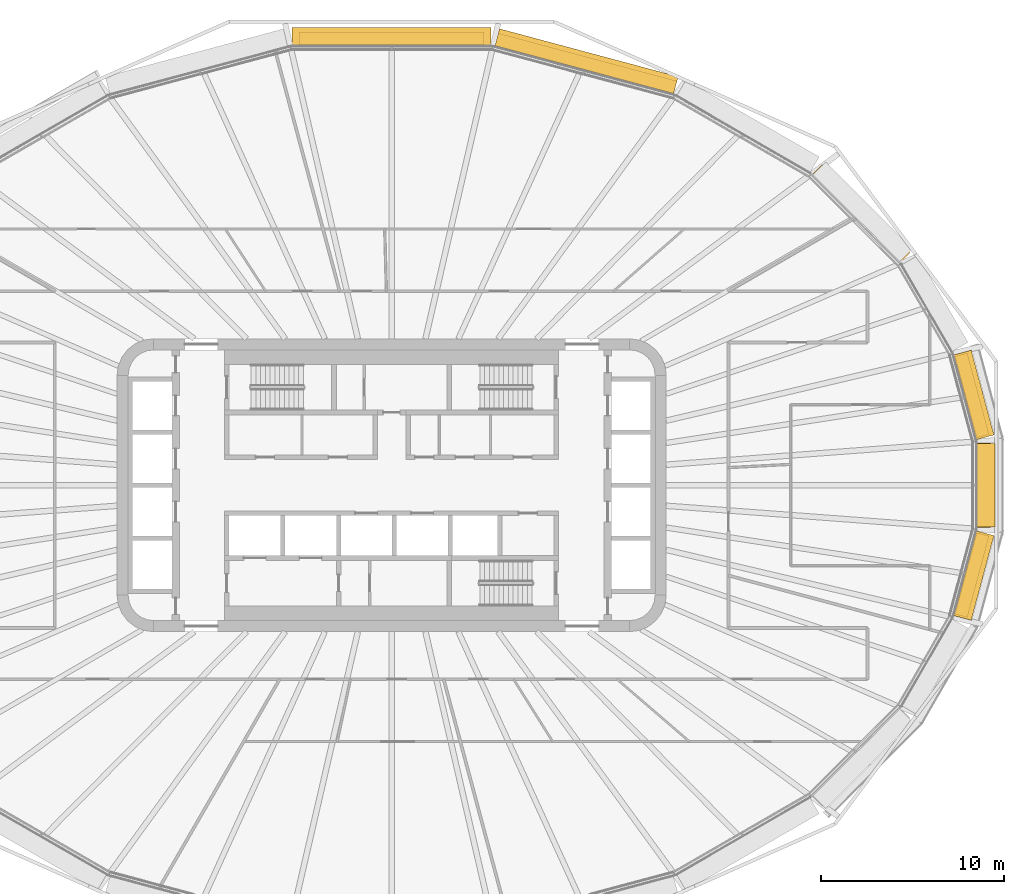
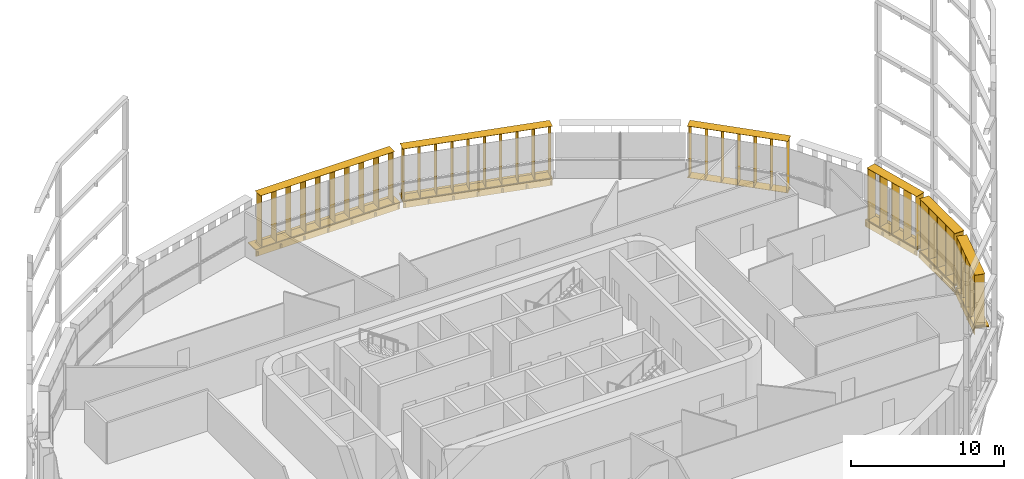
# One storey, part 26 of 26: 11 shading devices.
"""IFC4 building model written with IfcOpenShell, lengths in metres."""

from ifc_helpers import new_model, si_unit, direction, frame, origin, origin_2d, place, context, subcontext, project, spatial, rectangle, extrude, material, type_object, element, save


model = new_model("IFC4")

# Units and contexts
model_context = context("Model", 3, precision=1e-05, world=origin(), true_north=direction((0.0, 1.0)))
body_context = subcontext(model_context, "Body", "Model", "MODEL_VIEW")
ifc_project = project(units=[si_unit("LENGTHUNIT", "METRE"), si_unit("AREAUNIT", "SQUARE_METRE"), si_unit("VOLUMEUNIT", "CUBIC_METRE"), si_unit("PLANEANGLEUNIT", "RADIAN"), si_unit("MASSUNIT", "GRAM", prefix="KILO")], contexts=[model_context])

# Site, building, storey
site_placement = place(None, origin())
site = spatial("IfcSite", under=ifc_project, at=site_placement, CompositionType="ELEMENT")
building_placement = place(site_placement, origin())
building = spatial("IfcBuilding", under=site, at=building_placement, Name="Sahrelin Media Tower", CompositionType="ELEMENT")
storey_placement = place(building_placement, frame((0.0, 0.0, 102.0)))
storey = spatial("IfcBuildingStorey", under=building, at=storey_placement, Name="L19", CompositionType="ELEMENT", Elevation=102.0)

# Shading devices
ifc_material = material(Name="Champagne anodised aluminium 6063-T6", Category="aluminium")
shading_device_type_1 = type_object("IfcShadingDeviceType", Name="Fin cassette", PredefinedType="USERDEFINED", material=ifc_material)
placement_1 = place(storey_placement, frame((31.9443359375, 0.0, 0.0), z_axis=(0.0, 0.0, 1.0), x_axis=(0.0, -1.0, 0.0)))
element("IfcShadingDevice", 1, at=placement_1, inside=storey, type_object=shading_device_type_1, Name="L19:FIN:L19-00", ObjectType="FIN", PredefinedType="USERDEFINED", context=body_context, shape_type="SweptSolid", body=[
    extrude(rectangle(XDim=4.60009765625, YDim=0.699951171875, at=origin_2d()), frame((0.0, 0.419921875, 0.0)), (0.0, 0.0, 1.0), 0.02001953125),
    extrude(rectangle(XDim=4.60009765625, YDim=0.699951171875, at=origin_2d()), frame((0.0, 0.419921875, 4.10009765625)), (0.0, 0.0, 1.0), 0.02001953125),
    extrude(rectangle(XDim=0.02001953125, YDim=0.699951171875, at=origin_2d()), frame((-2.199951171875, 0.419921875, 0.010009765625), z_axis=(0.0, 0.0, 1.0), x_axis=(1.0, 0.0, 0.0)), (0.0, 0.0, 1.0), 4.10009765625),
    extrude(rectangle(XDim=0.02001953125, YDim=0.699951171875, at=origin_2d()), frame((-1.10009765625, 0.419921875, 0.010009765625), z_axis=(0.0, 0.0, 1.0), x_axis=(1.0, 0.0, 0.0)), (0.0, 0.0, 1.0), 4.10009765625),
    extrude(rectangle(XDim=0.02001953125, YDim=0.699951171875, at=origin_2d()), frame((0.0, 0.419921875, 0.010009765625), z_axis=(0.0, 0.0, 1.0), x_axis=(1.0, 0.0, 0.0)), (0.0, 0.0, 1.0), 4.10009765625),
    extrude(rectangle(XDim=0.02001953125, YDim=0.699951171875, at=origin_2d()), frame((1.10009765625, 0.419921875, 0.010009765625), z_axis=(0.0, 0.0, 1.0), x_axis=(1.0, 0.0, 0.0)), (0.0, 0.0, 1.0), 4.10009765625),
    extrude(rectangle(XDim=0.02001953125, YDim=0.699951171875, at=origin_2d()), frame((2.199951171875, 0.419921875, 0.010009765625), z_axis=(0.0, 0.0, 1.0), x_axis=(1.0, 0.0, 0.0)), (0.0, 0.0, 1.0), 4.10009765625),
])
placement_2 = place(storey_placement, frame((31.298095703125, 4.798828125, 0.0), z_axis=(0.0, 0.0, 1.0), x_axis=(0.258807731996, -0.965928857556, 0.0)))
element("IfcShadingDevice", 2, at=placement_2, inside=storey, type_object=shading_device_type_1, Name="L19:FIN:L19-01", ObjectType="FIN", PredefinedType="USERDEFINED", context=body_context, shape_type="SweptSolid", body=[
    extrude(rectangle(XDim=4.60009765625, YDim=0.699951171875, at=origin_2d()), frame((0.0, 0.419921875, 0.0)), (0.0, 0.0, 1.0), 0.02001953125),
    extrude(rectangle(XDim=4.60009765625, YDim=0.699951171875, at=origin_2d()), frame((0.0, 0.419921875, 4.10009765625)), (0.0, 0.0, 1.0), 0.02001953125),
    extrude(rectangle(XDim=0.02001953125, YDim=0.699951171875, at=origin_2d()), frame((-2.199951171875, 0.419921875, 0.010009765625), z_axis=(0.0, 0.0, 1.0), x_axis=(1.0, 0.0, 0.0)), (0.0, 0.0, 1.0), 4.10009765625),
    extrude(rectangle(XDim=0.02001953125, YDim=0.699951171875, at=origin_2d()), frame((-1.10009765625, 0.419921875, 0.010009765625), z_axis=(0.0, 0.0, 1.0), x_axis=(1.0, 0.0, 0.0)), (0.0, 0.0, 1.0), 4.10009765625),
    extrude(rectangle(XDim=0.02001953125, YDim=0.699951171875, at=origin_2d()), frame((0.0, 0.419921875, 0.010009765625), z_axis=(0.0, 0.0, 1.0), x_axis=(1.0, 0.0, 0.0)), (0.0, 0.0, 1.0), 4.10009765625),
    extrude(rectangle(XDim=0.02001953125, YDim=0.699951171875, at=origin_2d()), frame((1.10009765625, 0.419921875, 0.010009765625), z_axis=(0.0, 0.0, 1.0), x_axis=(1.0, 0.0, 0.0)), (0.0, 0.0, 1.0), 4.10009765625),
    extrude(rectangle(XDim=0.02001953125, YDim=0.699951171875, at=origin_2d()), frame((2.199951171875, 0.419921875, 0.010009765625), z_axis=(0.0, 0.0, 1.0), x_axis=(1.0, 0.0, 0.0)), (0.0, 0.0, 1.0), 4.10009765625),
])
shading_device_3_placement = place(storey_placement, frame((25.371337890625, 14.5703125, 0.0), z_axis=(0.0, 0.0, 1.0), x_axis=(0.707106781187, -0.707106781187, 0.0)))
element("IfcShadingDevice", 3, at=shading_device_3_placement, inside=storey, type_object=shading_device_type_1, Name="L19:FIN:L19-03", ObjectType="FIN", PredefinedType="USERDEFINED", context=body_context, shape_type="SweptSolid", body=[
    extrude(rectangle(XDim=6.800048828125, YDim=0.699951171875, at=origin_2d()), frame((0.0, 0.419921875, 0.0)), (0.0, 0.0, 1.0), 0.02001953125),
    extrude(rectangle(XDim=6.800048828125, YDim=0.699951171875, at=origin_2d()), frame((0.0, 0.419921875, 4.10009765625)), (0.0, 0.0, 1.0), 0.02001953125),
    extrude(rectangle(XDim=0.02001953125, YDim=0.699951171875, at=origin_2d()), frame((-3.300048828125, 0.419921875, 0.010009765625), z_axis=(0.0, 0.0, 1.0), x_axis=(1.0, 0.0, 0.0)), (0.0, 0.0, 1.0), 4.10009765625),
    extrude(rectangle(XDim=0.02001953125, YDim=0.699951171875, at=origin_2d()), frame((-2.199951171875, 0.419921875, 0.010009765625), z_axis=(0.0, 0.0, 1.0), x_axis=(1.0, 0.0, 0.0)), (0.0, 0.0, 1.0), 4.10009765625),
    extrude(rectangle(XDim=0.02001953125, YDim=0.699951171875, at=origin_2d()), frame((-1.10009765625, 0.419921875, 0.010009765625), z_axis=(0.0, 0.0, 1.0), x_axis=(1.0, 0.0, 0.0)), (0.0, 0.0, 1.0), 4.10009765625),
    extrude(rectangle(XDim=0.02001953125, YDim=0.699951171875, at=origin_2d()), frame((0.0, 0.419921875, 0.010009765625), z_axis=(0.0, 0.0, 1.0), x_axis=(1.0, 0.0, 0.0)), (0.0, 0.0, 1.0), 4.10009765625),
    extrude(rectangle(XDim=0.02001953125, YDim=0.699951171875, at=origin_2d()), frame((1.10009765625, 0.419921875, 0.010009765625), z_axis=(0.0, 0.0, 1.0), x_axis=(1.0, 0.0, 0.0)), (0.0, 0.0, 1.0), 4.10009765625),
    extrude(rectangle(XDim=0.02001953125, YDim=0.699951171875, at=origin_2d()), frame((2.199951171875, 0.419921875, 0.010009765625), z_axis=(0.0, 0.0, 1.0), x_axis=(1.0, 0.0, 0.0)), (0.0, 0.0, 1.0), 4.10009765625),
    extrude(rectangle(XDim=0.02001953125, YDim=0.699951171875, at=origin_2d()), frame((3.300048828125, 0.419921875, 0.010009765625), z_axis=(0.0, 0.0, 1.0), x_axis=(1.0, 0.0, 0.0)), (0.0, 0.0, 1.0), 4.10009765625),
])
placement_3 = place(storey_placement, frame((10.507080078125, 22.643798828125, 0.0), z_axis=(0.0, 0.0, 1.0), x_axis=(0.965928857556, -0.258807731996, 0.0)))
element("IfcShadingDevice", 4, at=placement_3, inside=storey, type_object=shading_device_type_1, Name="L19:FIN:L19-05", ObjectType="FIN", PredefinedType="USERDEFINED", context=body_context, shape_type="SweptSolid", body=[
    extrude(rectangle(XDim=10.10009765625, YDim=0.699951171875, at=origin_2d()), frame((0.0, 0.419921875, 0.0)), (0.0, 0.0, 1.0), 0.02001953125),
    extrude(rectangle(XDim=10.10009765625, YDim=0.699951171875, at=origin_2d()), frame((0.0, 0.419921875, 4.10009765625)), (0.0, 0.0, 1.0), 0.02001953125),
    extrude(rectangle(XDim=0.02001953125, YDim=0.699951171875, at=origin_2d()), frame((-4.949951171875, 0.419921875, 0.010009765625), z_axis=(0.0, 0.0, 1.0), x_axis=(1.0, 0.0, 0.0)), (0.0, 0.0, 1.0), 4.10009765625),
    extrude(rectangle(XDim=0.02001953125, YDim=0.699951171875, at=origin_2d()), frame((-3.85009765625, 0.419921875, 0.010009765625), z_axis=(0.0, 0.0, 1.0), x_axis=(1.0, 0.0, 0.0)), (0.0, 0.0, 1.0), 4.10009765625),
    extrude(rectangle(XDim=0.02001953125, YDim=0.699951171875, at=origin_2d()), frame((-2.75, 0.419921875, 0.010009765625), z_axis=(0.0, 0.0, 1.0), x_axis=(1.0, 0.0, 0.0)), (0.0, 0.0, 1.0), 4.10009765625),
    extrude(rectangle(XDim=0.02001953125, YDim=0.699951171875, at=origin_2d()), frame((-1.64990234375, 0.419921875, 0.010009765625), z_axis=(0.0, 0.0, 1.0), x_axis=(1.0, 0.0, 0.0)), (0.0, 0.0, 1.0), 4.10009765625),
    extrude(rectangle(XDim=0.02001953125, YDim=0.699951171875, at=origin_2d()), frame((-0.550048828125, 0.419921875, 0.010009765625), z_axis=(0.0, 0.0, 1.0), x_axis=(1.0, 0.0, 0.0)), (0.0, 0.0, 1.0), 4.10009765625),
    extrude(rectangle(XDim=0.02001953125, YDim=0.699951171875, at=origin_2d()), frame((0.550048828125, 0.419921875, 0.010009765625), z_axis=(0.0, 0.0, 1.0), x_axis=(1.0, 0.0, 0.0)), (0.0, 0.0, 1.0), 4.10009765625),
    extrude(rectangle(XDim=0.02001953125, YDim=0.699951171875, at=origin_2d()), frame((1.64990234375, 0.419921875, 0.010009765625), z_axis=(0.0, 0.0, 1.0), x_axis=(1.0, 0.0, 0.0)), (0.0, 0.0, 1.0), 4.10009765625),
    extrude(rectangle(XDim=0.02001953125, YDim=0.699951171875, at=origin_2d()), frame((2.75, 0.419921875, 0.010009765625), z_axis=(0.0, 0.0, 1.0), x_axis=(1.0, 0.0, 0.0)), (0.0, 0.0, 1.0), 4.10009765625),
    extrude(rectangle(XDim=0.02001953125, YDim=0.699951171875, at=origin_2d()), frame((3.85009765625, 0.419921875, 0.010009765625), z_axis=(0.0, 0.0, 1.0), x_axis=(1.0, 0.0, 0.0)), (0.0, 0.0, 1.0), 4.10009765625),
    extrude(rectangle(XDim=0.02001953125, YDim=0.699951171875, at=origin_2d()), frame((4.949951171875, 0.419921875, 0.010009765625), z_axis=(0.0, 0.0, 1.0), x_axis=(1.0, 0.0, 0.0)), (0.0, 0.0, 1.0), 4.10009765625),
])
placement_4 = place(storey_placement, frame((0.0, 23.97705078125, 0.0), z_axis=(0.0, 0.0, 1.0), x_axis=(1.0, 0.0, 0.0)))
element("IfcShadingDevice", 5, at=placement_4, inside=storey, type_object=shading_device_type_1, Name="L19:FIN:L19-06", ObjectType="FIN", PredefinedType="USERDEFINED", context=body_context, shape_type="SweptSolid", body=[
    extrude(rectangle(XDim=10.10009765625, YDim=0.699951171875, at=origin_2d()), frame((0.0, 0.419921875, 0.0)), (0.0, 0.0, 1.0), 0.02001953125),
    extrude(rectangle(XDim=10.10009765625, YDim=0.699951171875, at=origin_2d()), frame((0.0, 0.419921875, 4.10009765625)), (0.0, 0.0, 1.0), 0.02001953125),
    extrude(rectangle(XDim=0.02001953125, YDim=0.699951171875, at=origin_2d()), frame((-4.949951171875, 0.419921875, 0.010009765625), z_axis=(0.0, 0.0, 1.0), x_axis=(1.0, 0.0, 0.0)), (0.0, 0.0, 1.0), 4.10009765625),
    extrude(rectangle(XDim=0.02001953125, YDim=0.699951171875, at=origin_2d()), frame((-3.85009765625, 0.419921875, 0.010009765625), z_axis=(0.0, 0.0, 1.0), x_axis=(1.0, 0.0, 0.0)), (0.0, 0.0, 1.0), 4.10009765625),
    extrude(rectangle(XDim=0.02001953125, YDim=0.699951171875, at=origin_2d()), frame((-2.75, 0.419921875, 0.010009765625), z_axis=(0.0, 0.0, 1.0), x_axis=(1.0, 0.0, 0.0)), (0.0, 0.0, 1.0), 4.10009765625),
    extrude(rectangle(XDim=0.02001953125, YDim=0.699951171875, at=origin_2d()), frame((-1.64990234375, 0.419921875, 0.010009765625), z_axis=(0.0, 0.0, 1.0), x_axis=(1.0, 0.0, 0.0)), (0.0, 0.0, 1.0), 4.10009765625),
    extrude(rectangle(XDim=0.02001953125, YDim=0.699951171875, at=origin_2d()), frame((-0.550048828125, 0.419921875, 0.010009765625), z_axis=(0.0, 0.0, 1.0), x_axis=(1.0, 0.0, 0.0)), (0.0, 0.0, 1.0), 4.10009765625),
    extrude(rectangle(XDim=0.02001953125, YDim=0.699951171875, at=origin_2d()), frame((0.550048828125, 0.419921875, 0.010009765625), z_axis=(0.0, 0.0, 1.0), x_axis=(1.0, 0.0, 0.0)), (0.0, 0.0, 1.0), 4.10009765625),
    extrude(rectangle(XDim=0.02001953125, YDim=0.699951171875, at=origin_2d()), frame((1.64990234375, 0.419921875, 0.010009765625), z_axis=(0.0, 0.0, 1.0), x_axis=(1.0, 0.0, 0.0)), (0.0, 0.0, 1.0), 4.10009765625),
    extrude(rectangle(XDim=0.02001953125, YDim=0.699951171875, at=origin_2d()), frame((2.75, 0.419921875, 0.010009765625), z_axis=(0.0, 0.0, 1.0), x_axis=(1.0, 0.0, 0.0)), (0.0, 0.0, 1.0), 4.10009765625),
    extrude(rectangle(XDim=0.02001953125, YDim=0.699951171875, at=origin_2d()), frame((3.85009765625, 0.419921875, 0.010009765625), z_axis=(0.0, 0.0, 1.0), x_axis=(1.0, 0.0, 0.0)), (0.0, 0.0, 1.0), 4.10009765625),
    extrude(rectangle(XDim=0.02001953125, YDim=0.699951171875, at=origin_2d()), frame((4.949951171875, 0.419921875, 0.010009765625), z_axis=(0.0, 0.0, 1.0), x_axis=(1.0, 0.0, 0.0)), (0.0, 0.0, 1.0), 4.10009765625),
])
placement_5 = place(storey_placement, frame((31.298095703125, -4.798828125, 0.0), z_axis=(0.0, 0.0, 1.0), x_axis=(-0.258807731996, -0.965928857556, 0.0)))
element("IfcShadingDevice", 6, at=placement_5, inside=storey, type_object=shading_device_type_1, Name="L19:FIN:L19-23", ObjectType="FIN", PredefinedType="USERDEFINED", context=body_context, shape_type="SweptSolid", body=[
    extrude(rectangle(XDim=4.60009765625, YDim=0.699951171875, at=origin_2d()), frame((0.0, 0.419921875, 0.0)), (0.0, 0.0, 1.0), 0.02001953125),
    extrude(rectangle(XDim=4.60009765625, YDim=0.699951171875, at=origin_2d()), frame((0.0, 0.419921875, 4.10009765625)), (0.0, 0.0, 1.0), 0.02001953125),
    extrude(rectangle(XDim=0.02001953125, YDim=0.699951171875, at=origin_2d()), frame((-2.199951171875, 0.419921875, 0.010009765625), z_axis=(0.0, 0.0, 1.0), x_axis=(1.0, 0.0, 0.0)), (0.0, 0.0, 1.0), 4.10009765625),
    extrude(rectangle(XDim=0.02001953125, YDim=0.699951171875, at=origin_2d()), frame((-1.10009765625, 0.419921875, 0.010009765625), z_axis=(0.0, 0.0, 1.0), x_axis=(1.0, 0.0, 0.0)), (0.0, 0.0, 1.0), 4.10009765625),
    extrude(rectangle(XDim=0.02001953125, YDim=0.699951171875, at=origin_2d()), frame((0.0, 0.419921875, 0.010009765625), z_axis=(0.0, 0.0, 1.0), x_axis=(1.0, 0.0, 0.0)), (0.0, 0.0, 1.0), 4.10009765625),
    extrude(rectangle(XDim=0.02001953125, YDim=0.699951171875, at=origin_2d()), frame((1.10009765625, 0.419921875, 0.010009765625), z_axis=(0.0, 0.0, 1.0), x_axis=(1.0, 0.0, 0.0)), (0.0, 0.0, 1.0), 4.10009765625),
    extrude(rectangle(XDim=0.02001953125, YDim=0.699951171875, at=origin_2d()), frame((2.199951171875, 0.419921875, 0.010009765625), z_axis=(0.0, 0.0, 1.0), x_axis=(1.0, 0.0, 0.0)), (0.0, 0.0, 1.0), 4.10009765625),
])
shading_device_type_2 = type_object("IfcShadingDeviceType", Name="Sunshade band", PredefinedType="USERDEFINED", material=ifc_material)
element("IfcShadingDevice", 7, at=placement_1, inside=storey, type_object=shading_device_type_2, Name="L19:SUN:L19-00", ObjectType="SUNSHADE", PredefinedType="USERDEFINED", context=body_context, shape_type="SweptSolid", body=[
    extrude(rectangle(XDim=4.574462890625, YDim=0.050048828125, at=origin_2d()), frame((0.0, 0.044921875, -0.55126953125)), (0.0, 0.0, 1.0), 0.471435546875),
    extrude(rectangle(XDim=4.574462890625, YDim=1.0, at=origin_2d()), frame((0.0, 0.52001953125, -0.080078125)), (0.0, 0.0, 1.0), 0.080078125),
    extrude(rectangle(XDim=0.10009765625, YDim=0.074951171875, at=origin_2d()), frame((-2.187255859375, -0.017578125, -0.47021484375)), (0.0, 0.0, 1.0), 0.300048828125),
    extrude(rectangle(XDim=0.10009765625, YDim=0.074951171875, at=origin_2d()), frame((-0.72900390625, -0.017578125, -0.47021484375)), (0.0, 0.0, 1.0), 0.300048828125),
    extrude(rectangle(XDim=0.10009765625, YDim=0.074951171875, at=origin_2d()), frame((0.72900390625, -0.017578125, -0.47021484375)), (0.0, 0.0, 1.0), 0.300048828125),
    extrude(rectangle(XDim=0.10009765625, YDim=0.074951171875, at=origin_2d()), frame((2.187255859375, -0.017578125, -0.47021484375)), (0.0, 0.0, 1.0), 0.300048828125),
])
element("IfcShadingDevice", 8, at=placement_2, inside=storey, type_object=shading_device_type_2, Name="L19:SUN:L19-01", ObjectType="SUNSHADE", PredefinedType="USERDEFINED", context=body_context, shape_type="SweptSolid", body=[
    extrude(rectangle(XDim=4.793212890625, YDim=0.050048828125, at=origin_2d()), frame((0.0, 0.044921875, -0.55126953125)), (0.0, 0.0, 1.0), 0.471435546875),
    extrude(rectangle(XDim=4.793212890625, YDim=1.0, at=origin_2d()), frame((0.0, 0.52001953125, -0.080078125)), (0.0, 0.0, 1.0), 0.080078125),
    extrude(rectangle(XDim=0.10009765625, YDim=0.074951171875, at=origin_2d()), frame((-2.296630859375, -0.017578125, -0.47021484375)), (0.0, 0.0, 1.0), 0.300048828125),
    extrude(rectangle(XDim=0.10009765625, YDim=0.074951171875, at=origin_2d()), frame((-0.765380859375, -0.017578125, -0.47021484375)), (0.0, 0.0, 1.0), 0.300048828125),
    extrude(rectangle(XDim=0.10009765625, YDim=0.074951171875, at=origin_2d()), frame((0.765380859375, -0.017578125, -0.47021484375)), (0.0, 0.0, 1.0), 0.300048828125),
    extrude(rectangle(XDim=0.10009765625, YDim=0.074951171875, at=origin_2d()), frame((2.296630859375, -0.017578125, -0.47021484375)), (0.0, 0.0, 1.0), 0.300048828125),
])
element("IfcShadingDevice", 9, at=placement_3, inside=storey, type_object=shading_device_type_2, Name="L19:SUN:L19-05", ObjectType="SUNSHADE", PredefinedType="USERDEFINED", context=body_context, shape_type="SweptSolid", body=[
    extrude(rectangle(XDim=10.103759765625, YDim=0.050048828125, at=origin_2d()), frame((0.0, 0.044921875, -0.55126953125)), (0.0, 0.0, 1.0), 0.471435546875),
    extrude(rectangle(XDim=10.103759765625, YDim=1.0, at=origin_2d()), frame((0.0, 0.52001953125, -0.080078125)), (0.0, 0.0, 1.0), 0.080078125),
    extrude(rectangle(XDim=0.10009765625, YDim=0.074951171875, at=origin_2d()), frame((-4.951904296875, -0.017578125, -0.47021484375)), (0.0, 0.0, 1.0), 0.300048828125),
    extrude(rectangle(XDim=0.10009765625, YDim=0.074951171875, at=origin_2d()), frame((-3.30126953125, -0.017578125, -0.47021484375)), (0.0, 0.0, 1.0), 0.300048828125),
    extrude(rectangle(XDim=0.10009765625, YDim=0.074951171875, at=origin_2d()), frame((-1.650634765625, -0.017578125, -0.47021484375)), (0.0, 0.0, 1.0), 0.300048828125),
    extrude(rectangle(XDim=0.10009765625, YDim=0.074951171875, at=origin_2d()), frame((0.0, -0.017578125, -0.47021484375)), (0.0, 0.0, 1.0), 0.300048828125),
    extrude(rectangle(XDim=0.10009765625, YDim=0.074951171875, at=origin_2d()), frame((1.650634765625, -0.017578125, -0.47021484375)), (0.0, 0.0, 1.0), 0.300048828125),
    extrude(rectangle(XDim=0.10009765625, YDim=0.074951171875, at=origin_2d()), frame((3.30126953125, -0.017578125, -0.47021484375)), (0.0, 0.0, 1.0), 0.300048828125),
    extrude(rectangle(XDim=0.10009765625, YDim=0.074951171875, at=origin_2d()), frame((4.951904296875, -0.017578125, -0.47021484375)), (0.0, 0.0, 1.0), 0.300048828125),
])
element("IfcShadingDevice", 10, at=placement_4, inside=storey, type_object=shading_device_type_2, Name="L19:SUN:L19-06", ObjectType="SUNSHADE", PredefinedType="USERDEFINED", context=body_context, shape_type="SweptSolid", body=[
    extrude(rectangle(XDim=10.86181640625, YDim=0.050048828125, at=origin_2d()), frame((0.0, 0.044921875, -0.55126953125)), (0.0, 0.0, 1.0), 0.471435546875),
    extrude(rectangle(XDim=10.86181640625, YDim=1.0, at=origin_2d()), frame((0.0, 0.52001953125, -0.080078125)), (0.0, 0.0, 1.0), 0.080078125),
    extrude(rectangle(XDim=0.10009765625, YDim=0.074951171875, at=origin_2d()), frame((-5.330810546875, -0.017578125, -0.47021484375)), (0.0, 0.0, 1.0), 0.300048828125),
    extrude(rectangle(XDim=0.10009765625, YDim=0.074951171875, at=origin_2d()), frame((-3.553955078125, -0.017578125, -0.47021484375)), (0.0, 0.0, 1.0), 0.300048828125),
    extrude(rectangle(XDim=0.10009765625, YDim=0.074951171875, at=origin_2d()), frame((-1.777099609375, -0.017578125, -0.47021484375)), (0.0, 0.0, 1.0), 0.300048828125),
    extrude(rectangle(XDim=0.10009765625, YDim=0.074951171875, at=origin_2d()), frame((0.0, -0.017578125, -0.47021484375)), (0.0, 0.0, 1.0), 0.300048828125),
    extrude(rectangle(XDim=0.10009765625, YDim=0.074951171875, at=origin_2d()), frame((1.777099609375, -0.017578125, -0.47021484375)), (0.0, 0.0, 1.0), 0.300048828125),
    extrude(rectangle(XDim=0.10009765625, YDim=0.074951171875, at=origin_2d()), frame((3.553955078125, -0.017578125, -0.47021484375)), (0.0, 0.0, 1.0), 0.300048828125),
    extrude(rectangle(XDim=0.10009765625, YDim=0.074951171875, at=origin_2d()), frame((5.330810546875, -0.017578125, -0.47021484375)), (0.0, 0.0, 1.0), 0.300048828125),
])
element("IfcShadingDevice", 11, at=placement_5, inside=storey, type_object=shading_device_type_2, Name="L19:SUN:L19-23", ObjectType="SUNSHADE", PredefinedType="USERDEFINED", context=body_context, shape_type="SweptSolid", body=[
    extrude(rectangle(XDim=4.793212890625, YDim=0.050048828125, at=origin_2d()), frame((0.0, 0.044921875, -0.55126953125)), (0.0, 0.0, 1.0), 0.471435546875),
    extrude(rectangle(XDim=4.793212890625, YDim=1.0, at=origin_2d()), frame((0.0, 0.52001953125, -0.080078125)), (0.0, 0.0, 1.0), 0.080078125),
    extrude(rectangle(XDim=0.10009765625, YDim=0.074951171875, at=origin_2d()), frame((-2.296630859375, -0.017578125, -0.47021484375)), (0.0, 0.0, 1.0), 0.300048828125),
    extrude(rectangle(XDim=0.10009765625, YDim=0.074951171875, at=origin_2d()), frame((-0.765380859375, -0.017578125, -0.47021484375)), (0.0, 0.0, 1.0), 0.300048828125),
    extrude(rectangle(XDim=0.10009765625, YDim=0.074951171875, at=origin_2d()), frame((0.765380859375, -0.017578125, -0.47021484375)), (0.0, 0.0, 1.0), 0.300048828125),
    extrude(rectangle(XDim=0.10009765625, YDim=0.074951171875, at=origin_2d()), frame((2.296630859375, -0.017578125, -0.47021484375)), (0.0, 0.0, 1.0), 0.300048828125),
])

save(model, "model.ifc")
